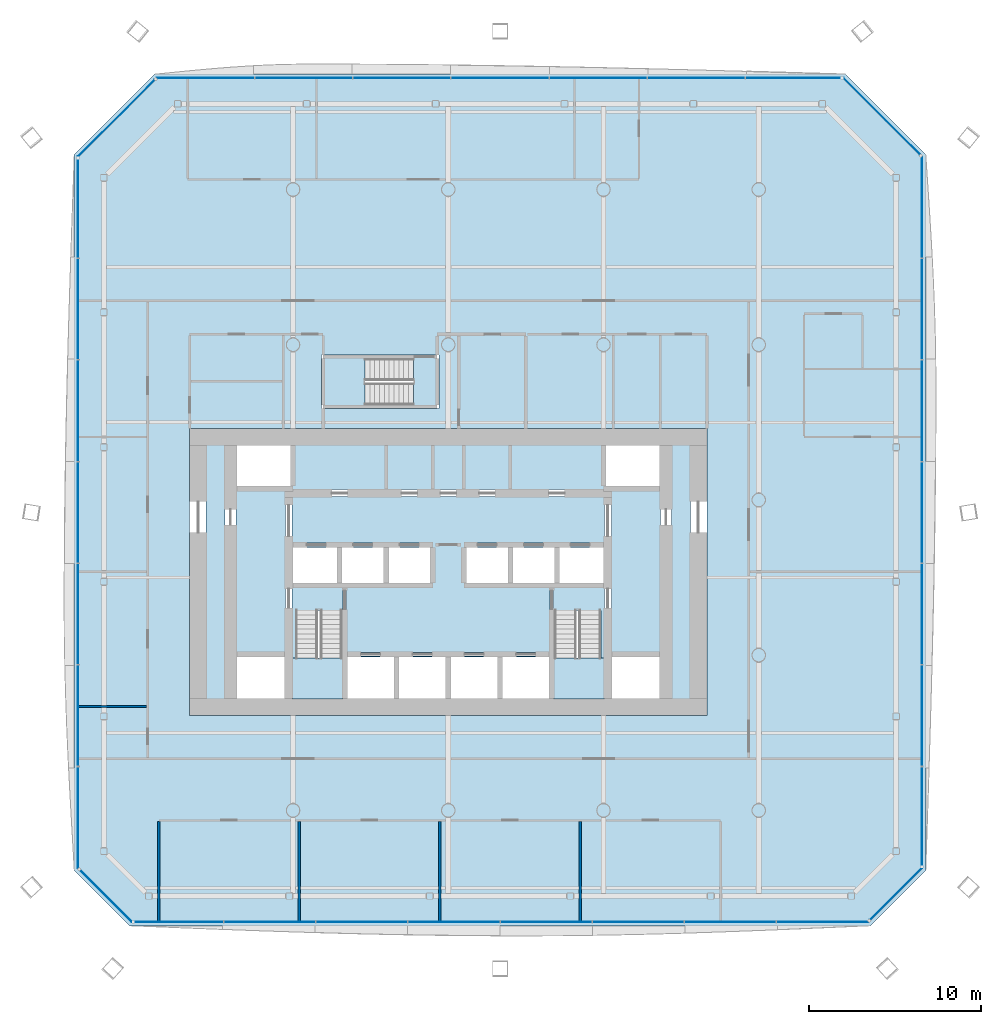
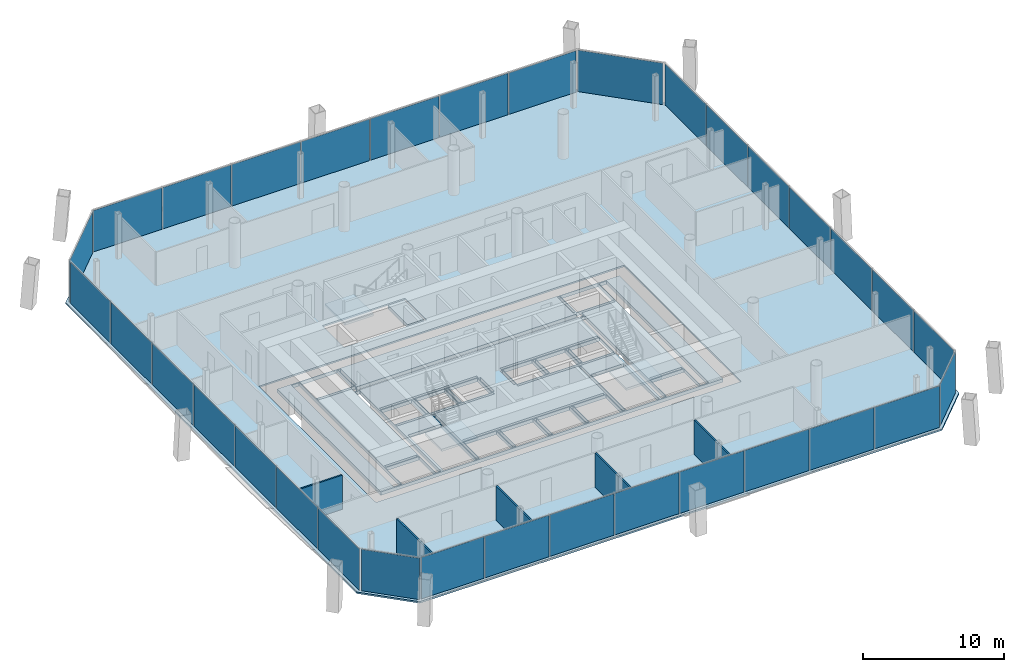
# One storey, part 10 of 19: 33 plates, 6 slabs, 5 walls, 11 elements without a shape of their own.
"""IFC4 building model written with IfcOpenShell, lengths in metres."""

import ifcopenshell
import ifcopenshell.guid

model = None  # the IFC model being written
_history = None  # IfcOwnerHistory: only IFC2X3 demands one
_inside = {}  # id of a spatial element -> (the spatial element, [elements in it])
_under = {}  # id of a project, library or spatial element -> (it, [spatial elements below it])
_declared = {}  # id of a project -> (the project, [libraries it declares])
_typed = {}  # id of a type object -> (the type object, [elements of that type])
_made_of = {}  # id of a material, layer set ... -> (it, [elements and type objects made of it])


def new_model(schema):
    """Start an empty IFC model of exactly this schema.

    Asked for "IFC4X3", IfcOpenShell would pick the latest addendum, in which some entities
    have other attributes; the version numbers below select the first issue.
    IFC2X3 requires an IfcOwnerHistory on every rooted entity: one is made here for all.
    """
    global model, _history
    if schema == "IFC4X3":
        model = ifcopenshell.file(schema_version=(4, 3, 0, 0))
    else:
        model = ifcopenshell.file(schema=schema)
    _inside.clear()
    _under.clear()
    _declared.clear()
    _typed.clear()
    _made_of.clear()
    _history = None
    if model.schema == "IFC2X3":
        org = make("IfcOrganization", Name="unknown")
        user = make(
            "IfcPersonAndOrganization",
            ThePerson=make("IfcPerson", FamilyName="unknown"),
            TheOrganization=org,
        )
        app = make(
            "IfcApplication",
            ApplicationDeveloper=org,
            Version="unknown",
            ApplicationFullName="unknown",
            ApplicationIdentifier="unknown",
        )
        _history = make(
            "IfcOwnerHistory",
            OwningUser=user,
            OwningApplication=app,
            ChangeAction="ADDED",
            CreationDate=0,
        )
    return model


def make(cls, **values):
    """One entity of the class cls with the attributes given. An attribute that is None is left unset."""
    return model.create_entity(
        cls, **{name: value for name, value in values.items() if value is not None}
    )


def rooted(cls, **values):
    """An entity with a GlobalId (a new one), such as an element, a storey or a relation."""
    return make(cls, GlobalId=ifcopenshell.guid.new(), OwnerHistory=_history, **values)


def si_unit(unit_type, name, prefix=None):
    """IfcSIUnit, for example si_unit("LENGTHUNIT", "METRE", prefix="MILLI")."""
    return make("IfcSIUnit", UnitType=unit_type, Prefix=prefix, Name=name)


def assignment(units):
    """IfcUnitAssignment: the units of a project."""
    return None if units is None else make("IfcUnitAssignment", Units=units)


def point(xyz):
    """IfcCartesianPoint."""
    return None if xyz is None else make("IfcCartesianPoint", Coordinates=xyz)


def direction(xyz):
    """IfcDirection."""
    return None if xyz is None else make("IfcDirection", DirectionRatios=xyz)


def frame(location, z_axis=None, x_axis=None):
    """IfcAxis2Placement3D, a coordinate frame: its origin and axes. An axis left out is left unset."""
    return make(
        "IfcAxis2Placement3D",
        Location=point(location),
        Axis=direction(z_axis),
        RefDirection=direction(x_axis),
    )


def frame_2d(location, x_axis=None):
    """IfcAxis2Placement2D, a coordinate frame in the plane: its origin and x axis."""
    return make(
        "IfcAxis2Placement2D", Location=point(location), RefDirection=direction(x_axis)
    )


def origin():
    """The frame at (0, 0, 0) with its axes left unset."""
    return frame((0.0, 0.0, 0.0))


def origin_2d():
    """The frame at (0, 0) in the plane with its x axis left unset."""
    return frame_2d((0.0, 0.0))


def place(relative_to, where):
    """IfcLocalPlacement: puts the frame where relative to a parent placement (None: the world)."""
    return make(
        "IfcLocalPlacement", PlacementRelTo=relative_to, RelativePlacement=where
    )


def context(
    kind, dimensions, precision=None, world=None, true_north=None, identifier=None
):
    """IfcGeometricRepresentationContext, for example the 3D "Model" context."""
    return make(
        "IfcGeometricRepresentationContext",
        ContextIdentifier=identifier,
        ContextType=kind,
        CoordinateSpaceDimension=dimensions,
        Precision=precision,
        WorldCoordinateSystem=world,
        TrueNorth=true_north,
    )


def subcontext(parent, identifier, kind, view, scale=None):
    """IfcGeometricRepresentationSubContext, for example "Body" below "Model"."""
    return make(
        "IfcGeometricRepresentationSubContext",
        ContextIdentifier=identifier,
        ContextType=kind,
        ParentContext=parent,
        TargetScale=scale,
        TargetView=view,
    )


def project(units=None, contexts=None):
    """IfcProject with its units and contexts."""
    return rooted(
        "IfcProject",
        Name="project",
        RepresentationContexts=contexts,
        UnitsInContext=assignment(units),
    )


def spatial(cls, under=None, at=None, **own):
    """A site, building, storey or space (cls), placed at a placement, below another one or the project."""
    s = rooted(cls, ObjectPlacement=at, **own)
    if under is not None:
        _under.setdefault(under.id(), (under, []))[1].append(s)
    return s


def polyline(points):
    """IfcPolyline through the points."""
    return make("IfcPolyline", Points=[point(p) for p in points])


def profile(cls, at=None, kind="AREA", **sizes):
    """A parametric profile (cls). Its sizes go by their IFC names, for example OverallWidth=200.0."""
    return make(cls, ProfileType=kind, Position=at, **sizes)


def rectangle(**sizes):
    """IfcRectangleProfileDef."""
    return profile("IfcRectangleProfileDef", **sizes)


def outline(outer, holes=None, kind="AREA"):
    """IfcArbitraryClosedProfileDef: a profile drawn as a closed curve; with holes, ...WithVoids."""
    if holes is None:
        return make("IfcArbitraryClosedProfileDef", ProfileType=kind, OuterCurve=outer)
    return make(
        "IfcArbitraryProfileDefWithVoids",
        ProfileType=kind,
        OuterCurve=outer,
        InnerCurves=holes,
    )


def extrude(swept, where, along, depth):
    """IfcExtrudedAreaSolid: the profile swept, set in the frame where, extruded along a direction by depth."""
    return make(
        "IfcExtrudedAreaSolid",
        SweptArea=swept,
        Position=where,
        ExtrudedDirection=direction(along),
        Depth=depth,
    )


def shape(context_of_items, identifier, shape_type, items):
    """IfcShapeRepresentation: the items that make up one representation, for example the "Body"."""
    return make(
        "IfcShapeRepresentation",
        ContextOfItems=context_of_items,
        RepresentationIdentifier=identifier,
        RepresentationType=shape_type,
        Items=items,
    )


def material(Name=None, Category=None):
    """IfcMaterial."""
    return make("IfcMaterial", Name=Name, Category=Category)


def layer(
    of_material, thickness, ventilated=None, Name=None, Category=None, Priority=None
):
    """IfcMaterialLayer: one layer of a wall or slab, of a material (None: an air gap)."""
    return make(
        "IfcMaterialLayer",
        Material=of_material,
        LayerThickness=thickness,
        IsVentilated=ventilated,
        Name=Name,
        Category=Category,
        Priority=Priority,
    )


def layer_set(layers, Name=None):
    """IfcMaterialLayerSet."""
    return make("IfcMaterialLayerSet", MaterialLayers=layers, LayerSetName=Name)


def made_of(thing, what):
    """Note that an element or type object is made of a material, layer set ...; save() writes the relation."""
    if what is not None:
        _made_of.setdefault(what.id(), (what, []))[1].append(thing)
    return thing


def type_object(cls, material=None, **own):
    """A type object (cls), such as IfcWallType, which elements share."""
    return made_of(rooted(cls, **own), material)


def element(
    cls,
    number,
    at=None,
    inside=None,
    cuts=None,
    type_object=None,
    material=None,
    context=None,
    identifier="Body",
    shape_type=None,
    held_by="IfcProductDefinitionShape",
    body=None,
    shapes=None,
    **own,
):
    """One element of the class cls, such as IfcWall. Its Tag is "e" and its number.

    at: its placement. inside: the storey or other place that contains it. cuts: it is an
    opening in that element (IfcRelVoidsElement). A single representation is given by context,
    identifier, shape_type and body (its items); several are given by shapes. held_by: the class
    of the entity that holds the representations. save() writes the other relations.
    """
    e = rooted(cls, Tag="e%d" % number, ObjectPlacement=at, **own)
    if body is not None:
        shapes = [shape(context, identifier, shape_type, body)]
    if shapes is not None:
        e.Representation = make(held_by, Representations=shapes)
    if inside is not None:
        _inside.setdefault(inside.id(), (inside, []))[1].append(e)
    if cuts is not None:
        rooted(
            "IfcRelVoidsElement", RelatingBuildingElement=cuts, RelatedOpeningElement=e
        )
    if type_object is not None:
        _typed.setdefault(type_object.id(), (type_object, []))[1].append(e)
    return made_of(e, material)


def aggregate(whole, parts):
    """IfcRelAggregates: a whole, such as a stair, and the parts it consists of."""
    return rooted("IfcRelAggregates", RelatingObject=whole, RelatedObjects=parts)


def save(model, path):
    """Write the relations noted so far, then the file.

    IfcRelAggregates (storeys below a building ...), IfcRelContainedInSpatialStructure (elements
    in a storey), IfcRelDefinesByType, IfcRelAssociatesMaterial and IfcRelDeclares: one each for
    every whole, place, type object, material and project.
    """
    for whole, parts in _under.values():
        aggregate(whole, parts)
    for where, things in _inside.values():
        rooted(
            "IfcRelContainedInSpatialStructure",
            RelatedElements=things,
            RelatingStructure=where,
        )
    for kind, things in _typed.values():
        rooted("IfcRelDefinesByType", RelatedObjects=things, RelatingType=kind)
    for what, things in _made_of.values():
        rooted("IfcRelAssociatesMaterial", RelatedObjects=things, RelatingMaterial=what)
    for by, libraries in _declared.values():
        rooted("IfcRelDeclares", RelatingContext=by, RelatedDefinitions=libraries)
    model.write(path)


model = new_model("IFC4")

# Units and contexts
model_context = context("Model", 3, precision=1e-05, world=origin(), true_north=direction((0.0, 1.0)))
body_context = subcontext(model_context, "Body", "Model", "MODEL_VIEW")
ifc_project = project(units=[si_unit("LENGTHUNIT", "METRE"), si_unit("AREAUNIT", "SQUARE_METRE"), si_unit("VOLUMEUNIT", "CUBIC_METRE"), si_unit("PLANEANGLEUNIT", "RADIAN"), si_unit("MASSUNIT", "GRAM", prefix="KILO")], contexts=[model_context])

# Site, building, storey
site_placement = place(None, origin())
site = spatial("IfcSite", under=ifc_project, at=site_placement, CompositionType="ELEMENT")
building_placement = place(site_placement, origin())
building = spatial("IfcBuilding", under=site, at=building_placement, Name="Tskaro Facet Tower", CompositionType="ELEMENT")
storey_placement = place(building_placement, frame((0.0, 0.0, 93.300048828125)))
storey = spatial("IfcBuildingStorey", under=building, at=storey_placement, Name="L22", CompositionType="ELEMENT", Elevation=93.300048828125)

# Slab
ifc_material_1 = material(Name="Concrete C30/37", Category="concrete")
ifc_layer_1 = layer(ifc_material_1, 0.139892578125, Name="Concrete C30/37")
ifc_layer_set_1 = layer_set([ifc_layer_1], Name="Concrete C30/37")
slab_type_1 = type_object("IfcSlabType", Name="Composite deck floor slab", PredefinedType="FLOOR", material=ifc_layer_set_1)
slab_1_placement = place(storey_placement, frame((0.0, 0.0, -0.14013671875)))
element("IfcSlab", 1, at=slab_1_placement, inside=storey, type_object=slab_type_1, Name="Floor slab FS3 L22", PredefinedType="FLOOR", context=body_context, shape_type="SweptSolid", body=[
    extrude(outline(polyline([(-18.451904296875, -24.712890625), (24.451904296875, -24.712890625), (27.712890625, -21.451904296875), (27.712890625, 20.01708984375), (23.01708984375, 24.712890625), (-17.01708984375, 24.712890625), (-21.712890625, 20.01708984375), (-21.712890625, -21.451904296875), (-18.451904296875, -24.712890625)]), holes=[polyline([(-15.0, -12.5), (15.0, -12.5), (15.0, 4.14990234375), (-15.0, 4.14990234375), (-15.0, -12.5)]), polyline([(-7.35009765625, 5.300048828125), (-0.550048828125, 5.300048828125), (-0.550048828125, 8.39990234375), (-7.35009765625, 8.39990234375), (-7.35009765625, 5.300048828125)])]), origin(), (0.0, 0.0, 1.0), 0.14013671875),
])

# Curtain wall, plates
ifc_material_2 = material(Name="Bronze anodised aluminium 6063-T6", Category="aluminium")
curtain_wall_type = type_object("IfcCurtainWallType", Name="Bronze office curtain wall (FW1)", PredefinedType="NOTDEFINED", material=ifc_material_2)
curtain_wall_1_placement = place(storey_placement, origin())
curtain_wall_1 = element("IfcCurtainWall", 2, at=curtain_wall_1_placement, inside=storey, type_object=curtain_wall_type, Name="FW1 south facet L22", PredefinedType="NOTDEFINED")
ifc_material_3 = material(Name="Bronze tinted glass", Category="glass")
ifc_layer_2 = layer(ifc_material_3, 0.031982421875, Name="Bronze tinted glass")
ifc_layer_set_2 = layer_set([ifc_layer_2], Name="Bronze tinted glass")
plate_type = type_object("IfcPlateType", Name="FW1 bronze-tinted unit glazing 32", PredefinedType="CURTAIN_PANEL", material=ifc_layer_set_2)
plate_1_placement = place(storey_placement, frame((-15.614501953125, -24.462890625, 0.0), z_axis=(0.0, 0.0, 1.0), x_axis=(1.0, 0.0, 0.0)))
plate_1 = element("IfcPlate", 3, at=plate_1_placement, type_object=plate_type, Name="FW1 south glazing 1.1", PredefinedType="CURTAIN_PANEL", context=body_context, shape_type="SweptSolid", body=[
    extrude(rectangle(XDim=5.14697265625, YDim=0.031982421875, at=origin_2d()), origin(), (0.0, 0.0, 1.0), 3.60009765625),
])
plate_2_placement = place(storey_placement, frame((-10.342529296875, -24.462890625, 0.0), z_axis=(0.0, 0.0, 1.0), x_axis=(1.0, 0.0, 0.0)))
plate_2 = element("IfcPlate", 4, at=plate_2_placement, type_object=plate_type, Name="FW1 south glazing 2.1", PredefinedType="CURTAIN_PANEL", context=body_context, shape_type="SweptSolid", body=[
    extrude(rectangle(XDim=5.277099609375, YDim=0.031982421875, at=origin_2d()), origin(), (0.0, 0.0, 1.0), 3.60009765625),
])
plate_3_placement = place(storey_placement, frame((-5.005615234375, -24.462890625, 0.0), z_axis=(0.0, 0.0, 1.0), x_axis=(1.0, 0.0, 0.0)))
plate_3 = element("IfcPlate", 5, at=plate_3_placement, type_object=plate_type, Name="FW1 south glazing 3.1", PredefinedType="CURTAIN_PANEL", context=body_context, shape_type="SweptSolid", body=[
    extrude(rectangle(XDim=5.277099609375, YDim=0.031982421875, at=origin_2d()), origin(), (0.0, 0.0, 1.0), 3.60009765625),
])
plate_4_placement = place(storey_placement, frame((0.33154296875, -24.462890625, 0.0), z_axis=(0.0, 0.0, 1.0), x_axis=(1.0, 0.0, 0.0)))
plate_4 = element("IfcPlate", 6, at=plate_4_placement, type_object=plate_type, Name="FW1 south glazing 4.1", PredefinedType="CURTAIN_PANEL", context=body_context, shape_type="SweptSolid", body=[
    extrude(rectangle(XDim=5.277099609375, YDim=0.031982421875, at=origin_2d()), origin(), (0.0, 0.0, 1.0), 3.60009765625),
])
plate_5_placement = place(storey_placement, frame((5.66845703125, -24.462890625, 0.0), z_axis=(0.0, 0.0, 1.0), x_axis=(1.0, 0.0, 0.0)))
plate_5 = element("IfcPlate", 7, at=plate_5_placement, type_object=plate_type, Name="FW1 south glazing 5.1", PredefinedType="CURTAIN_PANEL", context=body_context, shape_type="SweptSolid", body=[
    extrude(rectangle(XDim=5.277099609375, YDim=0.031982421875, at=origin_2d()), origin(), (0.0, 0.0, 1.0), 3.60009765625),
])
plate_6_placement = place(storey_placement, frame((11.005615234375, -24.462890625, 0.0), z_axis=(0.0, 0.0, 1.0), x_axis=(1.0, 0.0, 0.0)))
plate_6 = element("IfcPlate", 8, at=plate_6_placement, type_object=plate_type, Name="FW1 south glazing 6.1", PredefinedType="CURTAIN_PANEL", context=body_context, shape_type="SweptSolid", body=[
    extrude(rectangle(XDim=5.277099609375, YDim=0.031982421875, at=origin_2d()), origin(), (0.0, 0.0, 1.0), 3.60009765625),
])
plate_7_placement = place(storey_placement, frame((16.342529296875, -24.462890625, 0.0), z_axis=(0.0, 0.0, 1.0), x_axis=(1.0, 0.0, 0.0)))
plate_7 = element("IfcPlate", 9, at=plate_7_placement, type_object=plate_type, Name="FW1 south glazing 7.1", PredefinedType="CURTAIN_PANEL", context=body_context, shape_type="SweptSolid", body=[
    extrude(rectangle(XDim=5.277099609375, YDim=0.031982421875, at=origin_2d()), origin(), (0.0, 0.0, 1.0), 3.60009765625),
])
plate_8_placement = place(storey_placement, frame((21.694580078125, -24.462890625, 0.0), z_axis=(0.0, 0.0, 1.0), x_axis=(1.0, 0.0, 0.0)))
plate_8 = element("IfcPlate", 10, at=plate_8_placement, type_object=plate_type, Name="FW1 south glazing 8.1", PredefinedType="CURTAIN_PANEL", context=body_context, shape_type="SweptSolid", body=[
    extrude(rectangle(XDim=5.306884765625, YDim=0.031982421875, at=origin_2d()), origin(), (0.0, 0.0, 1.0), 3.60009765625),
])
aggregate(curtain_wall_1, [plate_1, plate_2, plate_3, plate_4, plate_5, plate_6, plate_7, plate_8])

# Curtain wall, plate
curtain_wall_2_placement = place(storey_placement, origin())
curtain_wall_2 = element("IfcCurtainWall", 11, at=curtain_wall_2_placement, inside=storey, type_object=curtain_wall_type, Name="FW1 south-east facet L22", PredefinedType="NOTDEFINED")
plate_9_placement = place(storey_placement, frame((25.962158203125, -22.848876953125, 0.0), z_axis=(0.0, 0.0, 1.0), x_axis=(0.707106781187, 0.707106781187, 0.0)))
plate_9 = element("IfcPlate", 12, at=plate_9_placement, type_object=plate_type, Name="FW1 south-east glazing 1.1", PredefinedType="CURTAIN_PANEL", context=body_context, shape_type="SweptSolid", body=[
    extrude(rectangle(XDim=4.245361328125, YDim=0.031982421875, at=origin_2d()), origin(), (0.0, 0.0, 1.0), 3.60009765625),
])
aggregate(curtain_wall_2, [plate_9])

# Curtain wall, plates
curtain_wall_3_placement = place(storey_placement, origin())
curtain_wall_3 = element("IfcCurtainWall", 13, at=curtain_wall_3_placement, inside=storey, type_object=curtain_wall_type, Name="FW1 east facet L22", PredefinedType="NOTDEFINED")
plate_10_placement = place(storey_placement, frame((27.462890625, -18.335693359375, 0.0), z_axis=(0.0, 0.0, 1.0), x_axis=(0.0, 1.0, 0.0)))
plate_10 = element("IfcPlate", 14, at=plate_10_placement, type_object=plate_type, Name="FW1 east glazing 1.1", PredefinedType="CURTAIN_PANEL", context=body_context, shape_type="SweptSolid", body=[
    extrude(rectangle(XDim=5.704345703125, YDim=0.031982421875, at=origin_2d()), origin(), (0.0, 0.0, 1.0), 3.60009765625),
])
plate_11_placement = place(storey_placement, frame((27.462890625, -12.50634765625, 0.0), z_axis=(0.0, 0.0, 1.0), x_axis=(0.0, 1.0, 0.0)))
plate_11 = element("IfcPlate", 15, at=plate_11_placement, type_object=plate_type, Name="FW1 east glazing 2.1", PredefinedType="CURTAIN_PANEL", context=body_context, shape_type="SweptSolid", body=[
    extrude(rectangle(XDim=5.83447265625, YDim=0.031982421875, at=origin_2d()), origin(), (0.0, 0.0, 1.0), 3.60009765625),
])
plate_12_placement = place(storey_placement, frame((27.462890625, -6.61181640625, 0.0), z_axis=(0.0, 0.0, 1.0), x_axis=(0.0, 1.0, 0.0)))
plate_12 = element("IfcPlate", 16, at=plate_12_placement, type_object=plate_type, Name="FW1 east glazing 3.1", PredefinedType="CURTAIN_PANEL", context=body_context, shape_type="SweptSolid", body=[
    extrude(rectangle(XDim=5.83447265625, YDim=0.031982421875, at=origin_2d()), origin(), (0.0, 0.0, 1.0), 3.60009765625),
])
plate_13_placement = place(storey_placement, frame((27.462890625, -0.717529296875, 0.0), z_axis=(0.0, 0.0, 1.0), x_axis=(0.0, 1.0, 0.0)))
plate_13 = element("IfcPlate", 17, at=plate_13_placement, type_object=plate_type, Name="FW1 east glazing 4.1", PredefinedType="CURTAIN_PANEL", context=body_context, shape_type="SweptSolid", body=[
    extrude(rectangle(XDim=5.83447265625, YDim=0.031982421875, at=origin_2d()), origin(), (0.0, 0.0, 1.0), 3.60009765625),
])
plate_14_placement = place(storey_placement, frame((27.462890625, 5.177001953125, 0.0), z_axis=(0.0, 0.0, 1.0), x_axis=(0.0, 1.0, 0.0)))
plate_14 = element("IfcPlate", 18, at=plate_14_placement, type_object=plate_type, Name="FW1 east glazing 5.1", PredefinedType="CURTAIN_PANEL", context=body_context, shape_type="SweptSolid", body=[
    extrude(rectangle(XDim=5.83447265625, YDim=0.031982421875, at=origin_2d()), origin(), (0.0, 0.0, 1.0), 3.60009765625),
])
plate_15_placement = place(storey_placement, frame((27.462890625, 11.0712890625, 0.0), z_axis=(0.0, 0.0, 1.0), x_axis=(0.0, 1.0, 0.0)))
plate_15 = element("IfcPlate", 19, at=plate_15_placement, type_object=plate_type, Name="FW1 east glazing 6.1", PredefinedType="CURTAIN_PANEL", context=body_context, shape_type="SweptSolid", body=[
    extrude(rectangle(XDim=5.83447265625, YDim=0.031982421875, at=origin_2d()), origin(), (0.0, 0.0, 1.0), 3.60009765625),
])
plate_16_placement = place(storey_placement, frame((27.462890625, 16.980712890625, 0.0), z_axis=(0.0, 0.0, 1.0), x_axis=(0.0, 1.0, 0.0)))
plate_16 = element("IfcPlate", 20, at=plate_16_placement, type_object=plate_type, Name="FW1 east glazing 7.1", PredefinedType="CURTAIN_PANEL", context=body_context, shape_type="SweptSolid", body=[
    extrude(rectangle(XDim=5.864501953125, YDim=0.031982421875, at=origin_2d()), origin(), (0.0, 0.0, 1.0), 3.60009765625),
])
aggregate(curtain_wall_3, [plate_10, plate_11, plate_12, plate_13, plate_14, plate_15, plate_16])

# Curtain wall, plate
curtain_wall_4_placement = place(storey_placement, origin())
curtain_wall_4 = element("IfcCurtainWall", 21, at=curtain_wall_4_placement, inside=storey, type_object=curtain_wall_type, Name="FW1 north-east facet L22", PredefinedType="NOTDEFINED")
plate_17_placement = place(storey_placement, frame((25.13134765625, 22.24462890625, 0.0), z_axis=(0.0, 0.0, 1.0), x_axis=(-0.707106781187, 0.707106781187, 0.0)))
plate_17 = element("IfcPlate", 22, at=plate_17_placement, type_object=plate_type, Name="FW1 north-east glazing 1.1", PredefinedType="CURTAIN_PANEL", context=body_context, shape_type="SweptSolid", body=[
    extrude(rectangle(XDim=6.274658203125, YDim=0.031982421875, at=origin_2d()), origin(), (0.0, 0.0, 1.0), 3.60009765625),
])
aggregate(curtain_wall_4, [plate_17])

# Curtain wall, plates
curtain_wall_5_placement = place(storey_placement, origin())
curtain_wall_5 = element("IfcCurtainWall", 23, at=curtain_wall_5_placement, inside=storey, type_object=curtain_wall_type, Name="FW1 north facet L22", PredefinedType="NOTDEFINED")
plate_18_placement = place(storey_placement, frame((20.003173828125, 24.462890625, 0.0), z_axis=(0.0, 0.0, 1.0), x_axis=(-1.0, 0.0, 0.0)))
plate_18 = element("IfcPlate", 24, at=plate_18_placement, type_object=plate_type, Name="FW1 north glazing 1.1", PredefinedType="CURTAIN_PANEL", context=body_context, shape_type="SweptSolid", body=[
    extrude(rectangle(XDim=5.49951171875, YDim=0.031982421875, at=origin_2d()), origin(), (0.0, 0.0, 1.0), 3.60009765625),
])
plate_19_placement = place(storey_placement, frame((14.37890625, 24.462890625, 0.0), z_axis=(0.0, 0.0, 1.0), x_axis=(-1.0, 0.0, 0.0)))
plate_19 = element("IfcPlate", 25, at=plate_19_placement, type_object=plate_type, Name="FW1 north glazing 2.1", PredefinedType="CURTAIN_PANEL", context=body_context, shape_type="SweptSolid", body=[
    extrude(rectangle(XDim=5.62939453125, YDim=0.031982421875, at=origin_2d()), origin(), (0.0, 0.0, 1.0), 3.60009765625),
])
plate_20_placement = place(storey_placement, frame((8.689453125, 24.462890625, 0.0), z_axis=(0.0, 0.0, 1.0), x_axis=(-1.0, 0.0, 0.0)))
plate_20 = element("IfcPlate", 26, at=plate_20_placement, type_object=plate_type, Name="FW1 north glazing 3.1", PredefinedType="CURTAIN_PANEL", context=body_context, shape_type="SweptSolid", body=[
    extrude(rectangle(XDim=5.62939453125, YDim=0.031982421875, at=origin_2d()), origin(), (0.0, 0.0, 1.0), 3.60009765625),
])
plate_21_placement = place(storey_placement, frame((3.0, 24.462890625, 0.0), z_axis=(0.0, 0.0, 1.0), x_axis=(-1.0, 0.0, 0.0)))
plate_21 = element("IfcPlate", 27, at=plate_21_placement, type_object=plate_type, Name="FW1 north glazing 4.1", PredefinedType="CURTAIN_PANEL", context=body_context, shape_type="SweptSolid", body=[
    extrude(rectangle(XDim=5.62939453125, YDim=0.031982421875, at=origin_2d()), origin(), (0.0, 0.0, 1.0), 3.60009765625),
])
plate_22_placement = place(storey_placement, frame((-2.689453125, 24.462890625, 0.0), z_axis=(0.0, 0.0, 1.0), x_axis=(-1.0, 0.0, 0.0)))
plate_22 = element("IfcPlate", 28, at=plate_22_placement, type_object=plate_type, Name="FW1 north glazing 5.1", PredefinedType="CURTAIN_PANEL", context=body_context, shape_type="SweptSolid", body=[
    extrude(rectangle(XDim=5.62939453125, YDim=0.031982421875, at=origin_2d()), origin(), (0.0, 0.0, 1.0), 3.60009765625),
])
plate_23_placement = place(storey_placement, frame((-8.37890625, 24.462890625, 0.0), z_axis=(0.0, 0.0, 1.0), x_axis=(-1.0, 0.0, 0.0)))
plate_23 = element("IfcPlate", 29, at=plate_23_placement, type_object=plate_type, Name="FW1 north glazing 6.1", PredefinedType="CURTAIN_PANEL", context=body_context, shape_type="SweptSolid", body=[
    extrude(rectangle(XDim=5.62939453125, YDim=0.031982421875, at=origin_2d()), origin(), (0.0, 0.0, 1.0), 3.60009765625),
])
plate_24_placement = place(storey_placement, frame((-14.083251953125, 24.462890625, 0.0), z_axis=(0.0, 0.0, 1.0), x_axis=(-1.0, 0.0, 0.0)))
plate_24 = element("IfcPlate", 30, at=plate_24_placement, type_object=plate_type, Name="FW1 north glazing 7.1", PredefinedType="CURTAIN_PANEL", context=body_context, shape_type="SweptSolid", body=[
    extrude(rectangle(XDim=5.659423828125, YDim=0.031982421875, at=origin_2d()), origin(), (0.0, 0.0, 1.0), 3.60009765625),
])
aggregate(curtain_wall_5, [plate_18, plate_19, plate_20, plate_21, plate_22, plate_23, plate_24])

# Curtain wall, plate
curtain_wall_6_placement = place(storey_placement, origin())
curtain_wall_6 = element("IfcCurtainWall", 31, at=curtain_wall_6_placement, inside=storey, type_object=curtain_wall_type, Name="FW1 north-west facet L22", PredefinedType="NOTDEFINED")
plate_25_placement = place(storey_placement, frame((-19.24462890625, 22.13134765625, 0.0), z_axis=(0.0, 0.0, 1.0), x_axis=(-0.707106781187, -0.707106781187, 0.0)))
plate_25 = element("IfcPlate", 32, at=plate_25_placement, type_object=plate_type, Name="FW1 north-west glazing 1.1", PredefinedType="CURTAIN_PANEL", context=body_context, shape_type="SweptSolid", body=[
    extrude(rectangle(XDim=6.274658203125, YDim=0.031982421875, at=origin_2d()), origin(), (0.0, 0.0, 1.0), 3.60009765625),
])
aggregate(curtain_wall_6, [plate_25])

# Curtain wall, plates
curtain_wall_7_placement = place(storey_placement, origin())
curtain_wall_7 = element("IfcCurtainWall", 33, at=curtain_wall_7_placement, inside=storey, type_object=curtain_wall_type, Name="FW1 west facet L22", PredefinedType="NOTDEFINED")
plate_26_placement = place(storey_placement, frame((-21.462890625, 16.90087890625, 0.0), z_axis=(0.0, 0.0, 1.0), x_axis=(0.0, -1.0, 0.0)))
plate_26 = element("IfcPlate", 34, at=plate_26_placement, type_object=plate_type, Name="FW1 west glazing 1.1", PredefinedType="CURTAIN_PANEL", context=body_context, shape_type="SweptSolid", body=[
    extrude(rectangle(XDim=5.704345703125, YDim=0.031982421875, at=origin_2d()), origin(), (0.0, 0.0, 1.0), 3.60009765625),
])
plate_27_placement = place(storey_placement, frame((-21.462890625, 11.0712890625, 0.0), z_axis=(0.0, 0.0, 1.0), x_axis=(0.0, -1.0, 0.0)))
plate_27 = element("IfcPlate", 35, at=plate_27_placement, type_object=plate_type, Name="FW1 west glazing 2.1", PredefinedType="CURTAIN_PANEL", context=body_context, shape_type="SweptSolid", body=[
    extrude(rectangle(XDim=5.83447265625, YDim=0.031982421875, at=origin_2d()), origin(), (0.0, 0.0, 1.0), 3.60009765625),
])
plate_28_placement = place(storey_placement, frame((-21.462890625, 5.177001953125, 0.0), z_axis=(0.0, 0.0, 1.0), x_axis=(0.0, -1.0, 0.0)))
plate_28 = element("IfcPlate", 36, at=plate_28_placement, type_object=plate_type, Name="FW1 west glazing 3.1", PredefinedType="CURTAIN_PANEL", context=body_context, shape_type="SweptSolid", body=[
    extrude(rectangle(XDim=5.83447265625, YDim=0.031982421875, at=origin_2d()), origin(), (0.0, 0.0, 1.0), 3.60009765625),
])
plate_29_placement = place(storey_placement, frame((-21.462890625, -0.717529296875, 0.0), z_axis=(0.0, 0.0, 1.0), x_axis=(0.0, -1.0, 0.0)))
plate_29 = element("IfcPlate", 37, at=plate_29_placement, type_object=plate_type, Name="FW1 west glazing 4.1", PredefinedType="CURTAIN_PANEL", context=body_context, shape_type="SweptSolid", body=[
    extrude(rectangle(XDim=5.83447265625, YDim=0.031982421875, at=origin_2d()), origin(), (0.0, 0.0, 1.0), 3.60009765625),
])
plate_30_placement = place(storey_placement, frame((-21.462890625, -6.61181640625, 0.0), z_axis=(0.0, 0.0, 1.0), x_axis=(0.0, -1.0, 0.0)))
plate_30 = element("IfcPlate", 38, at=plate_30_placement, type_object=plate_type, Name="FW1 west glazing 5.1", PredefinedType="CURTAIN_PANEL", context=body_context, shape_type="SweptSolid", body=[
    extrude(rectangle(XDim=5.83447265625, YDim=0.031982421875, at=origin_2d()), origin(), (0.0, 0.0, 1.0), 3.60009765625),
])
plate_31_placement = place(storey_placement, frame((-21.462890625, -12.50634765625, 0.0), z_axis=(0.0, 0.0, 1.0), x_axis=(0.0, -1.0, 0.0)))
plate_31 = element("IfcPlate", 39, at=plate_31_placement, type_object=plate_type, Name="FW1 west glazing 6.1", PredefinedType="CURTAIN_PANEL", context=body_context, shape_type="SweptSolid", body=[
    extrude(rectangle(XDim=5.83447265625, YDim=0.031982421875, at=origin_2d()), origin(), (0.0, 0.0, 1.0), 3.60009765625),
])
plate_32_placement = place(storey_placement, frame((-21.462890625, -18.415771484375, 0.0), z_axis=(0.0, 0.0, 1.0), x_axis=(0.0, -1.0, 0.0)))
plate_32 = element("IfcPlate", 40, at=plate_32_placement, type_object=plate_type, Name="FW1 west glazing 7.1", PredefinedType="CURTAIN_PANEL", context=body_context, shape_type="SweptSolid", body=[
    extrude(rectangle(XDim=5.864501953125, YDim=0.031982421875, at=origin_2d()), origin(), (0.0, 0.0, 1.0), 3.60009765625),
])
aggregate(curtain_wall_7, [plate_26, plate_27, plate_28, plate_29, plate_30, plate_31, plate_32])

# Curtain wall, plate
curtain_wall_8_placement = place(storey_placement, origin())
curtain_wall_8 = element("IfcCurtainWall", 41, at=curtain_wall_8_placement, inside=storey, type_object=curtain_wall_type, Name="FW1 south-west facet L22", PredefinedType="NOTDEFINED")
plate_33_placement = place(storey_placement, frame((-19.848876953125, -22.962158203125, 0.0), z_axis=(0.0, 0.0, 1.0), x_axis=(0.707106781187, -0.707106781187, 0.0)))
plate_33 = element("IfcPlate", 42, at=plate_33_placement, type_object=plate_type, Name="FW1 south-west glazing 1.1", PredefinedType="CURTAIN_PANEL", context=body_context, shape_type="SweptSolid", body=[
    extrude(rectangle(XDim=4.245361328125, YDim=0.031982421875, at=origin_2d()), origin(), (0.0, 0.0, 1.0), 3.60009765625),
])
aggregate(curtain_wall_8, [plate_33])

# Stair, slab
ifc_material_4 = material(Name="Concrete C40/50", Category="concrete")
stair_type = type_object("IfcStairType", Name="ST-TWR", PredefinedType="HALF_TURN_STAIR", material=ifc_material_4)
stair_1_placement = place(storey_placement, origin())
stair_1 = element("IfcStair", 43, at=stair_1_placement, inside=storey, type_object=stair_type, Name="L22 Exit stair 1", PredefinedType="HALF_TURN_STAIR")
ifc_layer_3 = layer(ifc_material_4, 0.199951171875, Name="Concrete C40/50")
ifc_layer_set_3 = layer_set([ifc_layer_3], Name="Concrete C40/50")
slab_type_2 = type_object("IfcSlabType", Name="SL-LANDING", PredefinedType="LANDING", material=ifc_layer_set_3)
slab_2_placement = place(storey_placement, frame((0.0, 0.0, 1.75)))
slab_2 = element("IfcSlab", 44, at=slab_2_placement, type_object=slab_type_2, Name="ST-1 landing 1", PredefinedType="LANDING", context=body_context, shape_type="SweptSolid", body=[
    extrude(outline(polyline([(-9.050048828125, -11.550048828125), (-6.10009765625, -11.550048828125), (-6.10009765625, -9.175048828125), (-9.050048828125, -9.175048828125), (-9.050048828125, -11.550048828125)])), origin(), (0.0, 0.0, 1.0), 0.199951171875),
])
aggregate(stair_1, [slab_2])

stair_2_placement = place(storey_placement, origin())
stair_2 = element("IfcStair", 45, at=stair_2_placement, inside=storey, type_object=stair_type, Name="L22 Exit stair 2", PredefinedType="HALF_TURN_STAIR")
slab_3_placement = place(storey_placement, frame((0.0, 0.0, 1.75)))
slab_3 = element("IfcSlab", 46, at=slab_3_placement, type_object=slab_type_2, Name="ST-2 landing 1", PredefinedType="LANDING", context=body_context, shape_type="SweptSolid", body=[
    extrude(outline(polyline([(6.10009765625, -11.550048828125), (9.050048828125, -11.550048828125), (9.050048828125, -9.175048828125), (6.10009765625, -9.175048828125), (6.10009765625, -11.550048828125)])), origin(), (0.0, 0.0, 1.0), 0.199951171875),
])
aggregate(stair_2, [slab_3])

stair_3_placement = place(storey_placement, origin())
stair_3 = element("IfcStair", 47, at=stair_3_placement, inside=storey, type_object=stair_type, Name="L22 Exit stair 3", PredefinedType="HALF_TURN_STAIR")
slab_4_placement = place(storey_placement, frame((0.0, 0.0, 1.75)))
slab_4 = element("IfcSlab", 48, at=slab_4_placement, type_object=slab_type_2, Name="ST-3 landing 1", PredefinedType="LANDING", context=body_context, shape_type="SweptSolid", body=[
    extrude(outline(polyline([(-7.199951171875, 5.449951171875), (-4.824951171875, 5.449951171875), (-4.824951171875, 8.25), (-7.199951171875, 8.25), (-7.199951171875, 5.449951171875)])), origin(), (0.0, 0.0, 1.0), 0.199951171875),
])
aggregate(stair_3, [slab_4])

# Slabs
ifc_material_5 = material(Name="Concrete C60/75", Category="concrete")
ifc_layer_4 = layer(ifc_material_5, 0.300048828125, Name="Concrete C60/75")
ifc_layer_set_4 = layer_set([ifc_layer_4], Name="Concrete C60/75")
slab_type_3 = type_object("IfcSlabType", Name="SLAB-CORE", PredefinedType="FLOOR", material=ifc_layer_set_4)
slab_5_placement = place(storey_placement, frame((0.0, 0.0, -0.300048828125)))
element("IfcSlab", 49, at=slab_5_placement, inside=storey, type_object=slab_type_3, Name="Core floor slab 1", PredefinedType="FLOOR", context=body_context, shape_type="SweptSolid", body=[
    extrude(outline(polyline([(-14.050048828125, 3.199951171875), (14.050048828125, 3.199951171875), (14.050048828125, 3.10009765625), (14.050048828125, -11.449951171875), (14.050048828125, -11.550048828125), (-14.050048828125, -11.550048828125), (-14.050048828125, -11.449951171875), (-14.050048828125, 3.10009765625), (-14.050048828125, 3.199951171875)]), holes=[polyline([(-9.5, -9.10009765625), (-12.25, -9.10009765625), (-12.25, -11.5), (-9.5, -11.5), (-9.5, -9.10009765625)]), polyline([(-3.14990234375, -9.10009765625), (-5.85009765625, -9.10009765625), (-5.85009765625, -11.5), (-3.14990234375, -11.5), (-3.14990234375, -9.10009765625)]), polyline([(-12.199951171875, -8.85009765625), (-12.199951171875, -9.050048828125), (-9.550048828125, -9.050048828125), (-9.550048828125, -8.85009765625), (-12.199951171875, -8.85009765625)]), polyline([(-6.10009765625, -11.449951171875), (-5.89990234375, -11.449951171875), (-5.89990234375, -5.14990234375), (-6.10009765625, -5.14990234375), (-6.10009765625, -11.449951171875)]), polyline([(-9.449951171875, 0.10009765625), (-9.449951171875, -11.449951171875), (-9.050048828125, -11.449951171875), (-9.050048828125, 0.10009765625), (-9.449951171875, 0.10009765625)]), polyline([(-8.949951171875, -4.85009765625), (-8.949951171875, -5.050048828125), (-0.949951171875, -5.050048828125), (-0.949951171875, -4.85009765625), (-8.949951171875, -4.85009765625)]), polyline([(-12.949951171875, -11.449951171875), (-12.300048828125, -11.449951171875), (-12.300048828125, 3.10009765625), (-12.949951171875, 3.10009765625), (-12.949951171875, -11.449951171875)]), polyline([(-6.449951171875, -4.800048828125), (-6.449951171875, -2.75), (-9.0, -2.75), (-9.0, -4.800048828125), (-6.449951171875, -4.800048828125)]), polyline([(-3.75, -2.75), (-6.14990234375, -2.75), (-6.14990234375, -4.800048828125), (-3.75, -4.800048828125), (-3.75, -2.75)]), polyline([(-6.39990234375, -2.800048828125), (-6.39990234375, -4.75), (-6.199951171875, -4.75), (-6.199951171875, -2.800048828125), (-6.39990234375, -2.800048828125)]), polyline([(-8.949951171875, -2.5), (-8.949951171875, -2.699951171875), (-0.949951171875, -2.699951171875), (-0.949951171875, -2.5), (-8.949951171875, -2.5)]), polyline([(9.449951171875, 0.550048828125), (12.199951171875, 0.550048828125), (12.199951171875, 0.75), (9.050048828125, 0.75), (9.050048828125, 0.60009765625), (-9.050048828125, 0.60009765625), (-9.050048828125, 0.75), (-12.199951171875, 0.75), (-12.199951171875, 0.550048828125), (-9.449951171875, 0.550048828125), (-9.449951171875, 0.199951171875), (9.449951171875, 0.199951171875), (9.449951171875, 0.550048828125)]), polyline([(-9.10009765625, 3.10009765625), (-9.10009765625, 0.85009765625), (-8.89990234375, 0.85009765625), (-8.89990234375, 3.10009765625), (-9.10009765625, 3.10009765625)]), polyline([(-9.14990234375, 0.800048828125), (-9.14990234375, 3.14990234375), (-12.25, 3.14990234375), (-12.25, 0.800048828125), (-9.14990234375, 0.800048828125)]), polyline([(2.89990234375, -11.449951171875), (3.10009765625, -11.449951171875), (3.10009765625, -9.14990234375), (2.89990234375, -9.14990234375), (2.89990234375, -11.449951171875)]), polyline([(-3.10009765625, -9.14990234375), (-3.10009765625, -11.449951171875), (-2.89990234375, -11.449951171875), (-2.89990234375, -9.14990234375), (-3.10009765625, -9.14990234375)]), polyline([(2.85009765625, -9.10009765625), (0.14990234375, -9.10009765625), (0.14990234375, -11.5), (2.85009765625, -11.5), (2.85009765625, -9.10009765625)]), polyline([(-0.14990234375, -9.10009765625), (-2.85009765625, -9.10009765625), (-2.85009765625, -11.5), (-0.14990234375, -11.5), (-0.14990234375, -9.10009765625)]), polyline([(-0.10009765625, -9.14990234375), (-0.10009765625, -11.449951171875), (0.10009765625, -11.449951171875), (0.10009765625, -9.14990234375), (-0.10009765625, -9.14990234375)]), polyline([(-5.800048828125, -8.85009765625), (-5.800048828125, -9.050048828125), (5.800048828125, -9.050048828125), (5.800048828125, -8.85009765625), (-5.800048828125, -8.85009765625)]), polyline([(-1.0, -2.800048828125), (-1.0, -4.75), (-0.800048828125, -4.75), (-0.800048828125, -2.800048828125), (-1.0, -2.800048828125)]), polyline([(0.800048828125, -4.75), (1.0, -4.75), (1.0, -2.800048828125), (0.800048828125, -2.800048828125), (0.800048828125, -4.75)]), polyline([(-1.050048828125, -4.800048828125), (-1.050048828125, -2.75), (-3.449951171875, -2.75), (-3.449951171875, -4.800048828125), (-1.050048828125, -4.800048828125)]), polyline([(3.449951171875, -4.800048828125), (3.449951171875, -2.75), (1.050048828125, -2.75), (1.050048828125, -4.800048828125), (3.449951171875, -4.800048828125)]), polyline([(-3.699951171875, -4.75), (-3.5, -4.75), (-3.5, -2.800048828125), (-3.699951171875, -2.800048828125), (-3.699951171875, -4.75)]), polyline([(3.14990234375, -9.10009765625), (3.14990234375, -11.5), (5.85009765625, -11.5), (5.85009765625, -9.10009765625), (3.14990234375, -9.10009765625)]), polyline([(12.25, -11.5), (12.25, -9.10009765625), (9.5, -9.10009765625), (9.5, -11.5), (12.25, -11.5)]), polyline([(9.550048828125, -8.85009765625), (9.550048828125, -9.050048828125), (12.199951171875, -9.050048828125), (12.199951171875, -8.85009765625), (9.550048828125, -8.85009765625)]), polyline([(5.89990234375, -11.449951171875), (6.10009765625, -11.449951171875), (6.10009765625, -5.14990234375), (5.89990234375, -5.14990234375), (5.89990234375, -11.449951171875)]), polyline([(9.050048828125, 0.10009765625), (9.050048828125, -11.449951171875), (9.449951171875, -11.449951171875), (9.449951171875, 0.10009765625), (9.050048828125, 0.10009765625)]), polyline([(0.949951171875, -4.85009765625), (0.949951171875, -5.050048828125), (8.949951171875, -5.050048828125), (8.949951171875, -4.85009765625), (0.949951171875, -4.85009765625)]), polyline([(12.300048828125, -11.449951171875), (12.949951171875, -11.449951171875), (12.949951171875, 3.10009765625), (12.300048828125, 3.10009765625), (12.300048828125, -11.449951171875)]), polyline([(3.5, -2.800048828125), (3.5, -4.75), (3.699951171875, -4.75), (3.699951171875, -2.800048828125), (3.5, -2.800048828125)]), polyline([(6.14990234375, -2.75), (3.75, -2.75), (3.75, -4.800048828125), (6.14990234375, -4.800048828125), (6.14990234375, -2.75)]), polyline([(6.199951171875, -2.800048828125), (6.199951171875, -4.75), (6.39990234375, -4.75), (6.39990234375, -2.800048828125), (6.199951171875, -2.800048828125)]), polyline([(6.449951171875, -2.75), (6.449951171875, -4.800048828125), (9.0, -4.800048828125), (9.0, -2.75), (6.449951171875, -2.75)]), polyline([(0.949951171875, -2.5), (0.949951171875, -2.699951171875), (8.949951171875, -2.699951171875), (8.949951171875, -2.5), (0.949951171875, -2.5)]), polyline([(8.89990234375, 3.10009765625), (8.89990234375, 0.85009765625), (9.10009765625, 0.85009765625), (9.10009765625, 3.10009765625), (8.89990234375, 3.10009765625)]), polyline([(9.14990234375, 0.800048828125), (12.25, 0.800048828125), (12.25, 3.14990234375), (9.14990234375, 3.14990234375), (9.14990234375, 0.800048828125)]), polyline([(-8.85009765625, -11.5), (-6.14990234375, -11.5), (-6.14990234375, -6.39501953125), (-8.85009765625, -6.39501953125), (-8.85009765625, -11.5)]), polyline([(6.14990234375, -6.39501953125), (6.14990234375, -11.5), (8.85009765625, -11.5), (8.85009765625, -6.39501953125), (6.14990234375, -6.39501953125)])]), origin(), (0.0, 0.0, 1.0), 0.300048828125),
])
slab_6_placement = place(storey_placement, frame((0.0, 0.0, -0.300048828125)))
element("IfcSlab", 50, at=slab_6_placement, inside=storey, type_object=slab_type_3, Name="Stair 3 floor landing 1", PredefinedType="FLOOR", context=body_context, shape_type="SweptSolid", body=[
    extrude(outline(polyline([(-2.02490234375, 5.449951171875), (-0.699951171875, 5.449951171875), (-0.699951171875, 8.25), (-2.02490234375, 8.25), (-2.02490234375, 5.449951171875)])), origin(), (0.0, 0.0, 1.0), 0.300048828125),
])

# Walls
ifc_material_6 = material(Name="Gypsum board on steel studs", Category="steel")
ifc_layer_5 = layer(ifc_material_6, 0.125, Name="Gypsum board on steel studs")
ifc_layer_set_5 = layer_set([ifc_layer_5], Name="Gypsum board on steel studs")
wall_type = type_object("IfcWallType", Name="PART", PredefinedType="PARTITIONING", material=ifc_layer_set_5)
wall_placement = place(storey_placement, frame((-21.4130859375, -11.972900390625, 0.0), z_axis=(0.0, 0.0, 1.0), x_axis=(1.0, 0.0, 0.0)))
element("IfcWall", 51, at=wall_placement, inside=storey, type_object=wall_type, Name="Partition W003", PredefinedType="PARTITIONING", context=body_context, shape_type="SweptSolid", body=[
    extrude(rectangle(XDim=3.9130859375, YDim=0.125, at=frame_2d((1.95654296875, 0.0))), origin(), (0.0, 0.0, 1.0), 2.9599609375),
])
for number, where, z_axis, x_axis, name in (
    (52, (-16.783935546875, -24.4130859375, 0.0), (0.0, 0.0, 1.0), (0.0, 1.0, 0.0), "Partition W029"),
    (53, (-8.637939453125, -24.4130859375, 0.0), (0.0, 0.0, 1.0), (0.0, 1.0, 0.0), "Partition W034"),
    (54, (-0.492919921875, -24.4130859375, 0.0), (0.0, 0.0, 1.0), (0.0, 1.0, 0.0), "Partition W048"),
    (55, (7.653076171875, -24.4130859375, 0.0), (0.0, 0.0, 1.0), (0.0, 1.0, 0.0), "Partition W060"),
):
    element("IfcWall", number, at=place(storey_placement, frame(where, z_axis=z_axis, x_axis=x_axis)), inside=storey, type_object=wall_type, Name=name, PredefinedType="PARTITIONING", context=body_context, shape_type="SweptSolid", body=[
        extrude(rectangle(XDim=5.7705078125, YDim=0.125, at=frame_2d((2.88525390625, 0.0))), origin(), (0.0, 0.0, 1.0), 2.9599609375),
    ])

save(model, "model.ifc")
